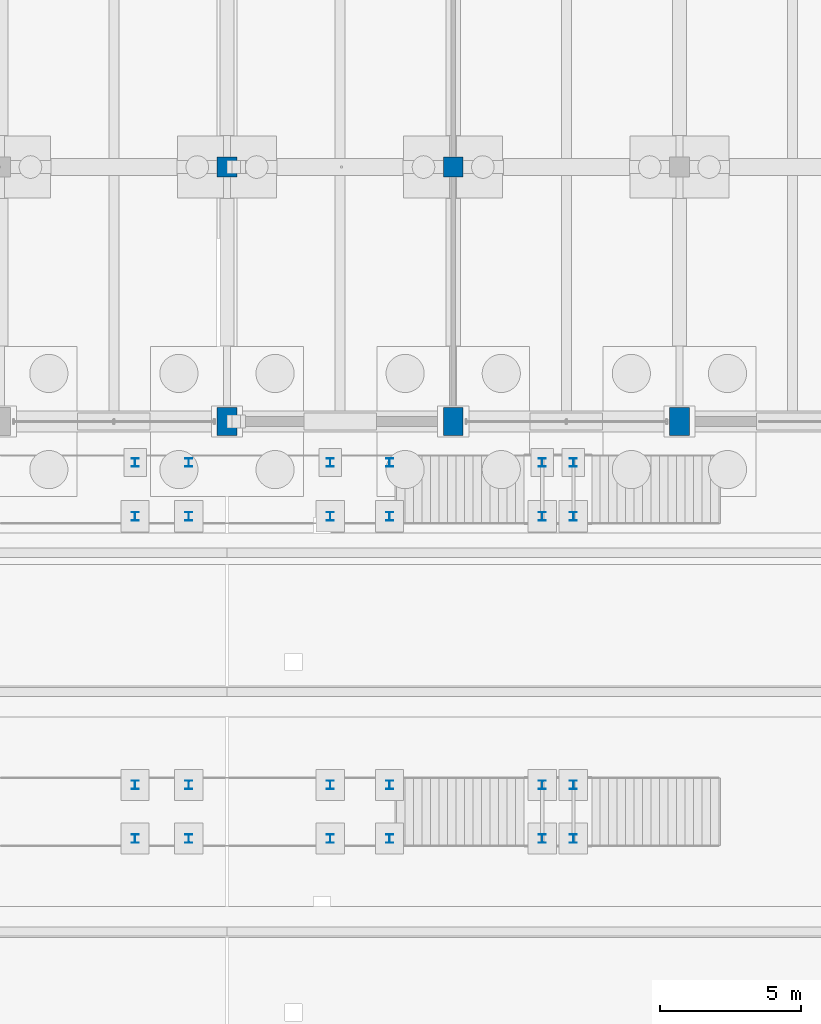
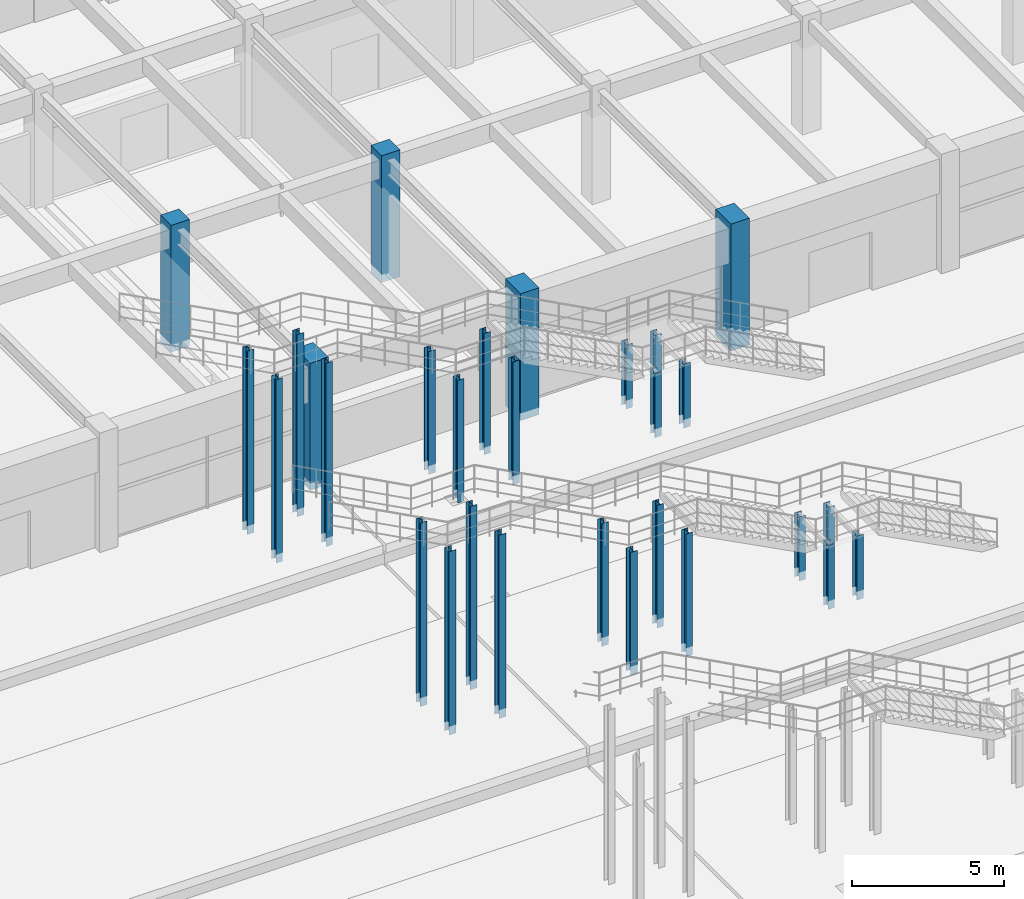
# One storey, part 21 of 147: 29 columns.
"""IFC4 building model written with IfcOpenShell, lengths in metres."""

from ifc_helpers import new_model, si_unit, direction, frame, origin, origin_2d, place, context, subcontext, project, spatial, rectangle, i_section, extrude, material, material_profile, profile_set, type_object, element, save


model = new_model("IFC4")

# Units and contexts
model_context = context("Model", 3, precision=1e-05, world=origin(), true_north=direction((0.0, 1.0)))
body_context = subcontext(model_context, "Body", "Model", "MODEL_VIEW")
ifc_project = project(units=[si_unit("LENGTHUNIT", "METRE"), si_unit("AREAUNIT", "SQUARE_METRE"), si_unit("VOLUMEUNIT", "CUBIC_METRE"), si_unit("PLANEANGLEUNIT", "RADIAN"), si_unit("MASSUNIT", "GRAM", prefix="KILO")], contexts=[model_context])

# Site, building, storey
site_placement = place(None, origin())
site = spatial("IfcSite", under=ifc_project, at=site_placement, CompositionType="ELEMENT")
building_placement = place(site_placement, origin())
building = spatial("IfcBuilding", under=site, at=building_placement, Name="Varnabhumi Central Station", CompositionType="ELEMENT")
storey_placement = place(building_placement, origin())
storey = spatial("IfcBuildingStorey", under=building, at=storey_placement, Name="L00", CompositionType="ELEMENT", Elevation=0.0)

# Columns
ifc_material_1 = material(Name="Structural steel E350", Category="steel")
ifc_material_profile_1 = material_profile(ifc_material_1, i_section(OverallWidth=0.25, OverallDepth=0.300048828125, WebThickness=0.009521484375, FlangeThickness=0.010498046875, FilletRadius=0.010986328125, at=origin_2d()), Name="Structural steel E350", Category="steel")
ifc_profile_set_1 = profile_set([ifc_material_profile_1], Name="Structural steel E350")
column_type_1 = type_object("IfcColumnType", Name="COL-GALLERY-ISHB300", PredefinedType="COLUMN", material=ifc_profile_set_1)
for number, where, z_axis, x_axis, name in (
    (1, (131.14990234375, 65.25, -0.35009765625), (0.0, 0.0, 1.0), (1.0, 0.0, 0.0), "Stair Support Column P3-p3_l0mid-1S"),
    (2, (131.14990234375, 67.14990234375, -0.35009765625), (0.0, 0.0, 1.0), (1.0, 0.0, 0.0), "Stair Support Column P3-p3_l0mid-1N"),
    (3, (132.25, 65.25, -0.35009765625), (0.0, 0.0, 1.0), (1.0, 0.0, 0.0), "Stair Support Column P3-p3_l0mid-2S"),
    (4, (132.25, 67.14990234375, -0.35009765625), (0.0, 0.0, 1.0), (1.0, 0.0, 0.0), "Stair Support Column P3-p3_l0mid-2N"),
):
    element("IfcColumn", number, at=place(storey_placement, frame(where, z_axis=z_axis, x_axis=x_axis)), inside=storey, type_object=column_type_1, Name=name, PredefinedType="COLUMN", context=body_context, shape_type="SweptSolid", body=[
        extrude(i_section(OverallWidth=0.25, OverallDepth=0.300048828125, WebThickness=0.009521484375, FlangeThickness=0.010498046875, FilletRadius=0.010986328125, at=origin_2d()), origin(), (0.0, 0.0, 1.0), 2.570068359375),
    ])
for number, where, z_axis, x_axis, name in (
    (5, (123.64990234375, 65.25, -0.35009765625), (0.0, 0.0, 1.0), (1.0, 0.0, 0.0), "Stair Support Column P3-p3_l1xfer-1S"),
    (6, (123.64990234375, 67.14990234375, -0.35009765625), (0.0, 0.0, 1.0), (1.0, 0.0, 0.0), "Stair Support Column P3-p3_l1xfer-1N"),
    (7, (125.75, 65.25, -0.35009765625), (0.0, 0.0, 1.0), (1.0, 0.0, 0.0), "Stair Support Column P3-p3_l1xfer-2S"),
    (8, (125.75, 67.14990234375, -0.35009765625), (0.0, 0.0, 1.0), (1.0, 0.0, 0.0), "Stair Support Column P3-p3_l1xfer-2N"),
):
    element("IfcColumn", number, at=place(storey_placement, frame(where, z_axis=z_axis, x_axis=x_axis)), inside=storey, type_object=column_type_1, Name=name, PredefinedType="COLUMN", context=body_context, shape_type="SweptSolid", body=[
        extrude(i_section(OverallWidth=0.25, OverallDepth=0.300048828125, WebThickness=0.009521484375, FlangeThickness=0.010498046875, FilletRadius=0.010986328125, at=origin_2d()), origin(), (0.0, 0.0, 1.0), 4.93017578125),
    ])
for number, where, z_axis, x_axis, name in (
    (9, (116.75, 65.25, -0.35009765625), (0.0, 0.0, 1.0), (1.0, 0.0, 0.0), "Stair Support Column P3-p3_l1mid-1S"),
    (10, (116.75, 67.14990234375, -0.35009765625), (0.0, 0.0, 1.0), (1.0, 0.0, 0.0), "Stair Support Column P3-p3_l1mid-1N"),
    (11, (118.64990234375, 65.25, -0.35009765625), (0.0, 0.0, 1.0), (1.0, 0.0, 0.0), "Stair Support Column P3-p3_l1mid-2S"),
    (12, (118.64990234375, 67.14990234375, -0.35009765625), (0.0, 0.0, 1.0), (1.0, 0.0, 0.0), "Stair Support Column P3-p3_l1mid-2N"),
):
    element("IfcColumn", number, at=place(storey_placement, frame(where, z_axis=z_axis, x_axis=x_axis)), inside=storey, type_object=column_type_1, Name=name, PredefinedType="COLUMN", context=body_context, shape_type="SweptSolid", body=[
        extrude(i_section(OverallWidth=0.25, OverallDepth=0.300048828125, WebThickness=0.009521484375, FlangeThickness=0.010498046875, FilletRadius=0.010986328125, at=origin_2d()), origin(), (0.0, 0.0, 1.0), 7.3701171875),
    ])
for number, where, z_axis, x_axis, name in (
    (13, (131.14990234375, 76.64990234375, -0.35009765625), (0.0, 0.0, 1.0), (1.0, 0.0, 0.0), "Stair Support Column P4-p4_l0mid-1S"),
    (14, (131.14990234375, 78.550048828125, -0.35009765625), (0.0, 0.0, 1.0), (1.0, 0.0, 0.0), "Stair Support Column P4-p4_l0mid-1N"),
    (15, (132.25, 76.64990234375, -0.35009765625), (0.0, 0.0, 1.0), (1.0, 0.0, 0.0), "Stair Support Column P4-p4_l0mid-2S"),
    (16, (132.25, 78.550048828125, -0.35009765625), (0.0, 0.0, 1.0), (1.0, 0.0, 0.0), "Stair Support Column P4-p4_l0mid-2N"),
):
    element("IfcColumn", number, at=place(storey_placement, frame(where, z_axis=z_axis, x_axis=x_axis)), inside=storey, type_object=column_type_1, Name=name, PredefinedType="COLUMN", context=body_context, shape_type="SweptSolid", body=[
        extrude(i_section(OverallWidth=0.25, OverallDepth=0.300048828125, WebThickness=0.009521484375, FlangeThickness=0.010498046875, FilletRadius=0.010986328125, at=origin_2d()), origin(), (0.0, 0.0, 1.0), 2.570068359375),
    ])
for number, where, z_axis, x_axis, name in (
    (17, (123.64990234375, 76.64990234375, -0.35009765625), (0.0, 0.0, 1.0), (1.0, 0.0, 0.0), "Stair Support Column P4-p4_l1xfer-1S"),
    (18, (123.64990234375, 78.550048828125, -0.35009765625), (0.0, 0.0, 1.0), (1.0, 0.0, 0.0), "Stair Support Column P4-p4_l1xfer-1N"),
    (19, (125.75, 76.64990234375, -0.35009765625), (0.0, 0.0, 1.0), (1.0, 0.0, 0.0), "Stair Support Column P4-p4_l1xfer-2S"),
):
    element("IfcColumn", number, at=place(storey_placement, frame(where, z_axis=z_axis, x_axis=x_axis)), inside=storey, type_object=column_type_1, Name=name, PredefinedType="COLUMN", context=body_context, shape_type="SweptSolid", body=[
        extrude(i_section(OverallWidth=0.25, OverallDepth=0.300048828125, WebThickness=0.009521484375, FlangeThickness=0.010498046875, FilletRadius=0.010986328125, at=origin_2d()), origin(), (0.0, 0.0, 1.0), 4.93017578125),
    ])
column_1_placement = place(storey_placement, frame((125.75, 78.550048828125, -0.300048828125), z_axis=(0.0, 0.0, 1.0), x_axis=(1.0, 0.0, 0.0)))
element("IfcColumn", 20, at=column_1_placement, inside=storey, type_object=column_type_1, Name="Stair Support Column P4-p4_l1xfer-2N", PredefinedType="COLUMN", context=body_context, shape_type="SweptSolid", body=[
    extrude(i_section(OverallWidth=0.25, OverallDepth=0.300048828125, WebThickness=0.009521484375, FlangeThickness=0.010498046875, FilletRadius=0.010986328125, at=origin_2d()), origin(), (0.0, 0.0, 1.0), 4.880126953125),
])
for number, where, z_axis, x_axis, name in (
    (21, (116.75, 76.64990234375, -0.35009765625), (0.0, 0.0, 1.0), (1.0, 0.0, 0.0), "Stair Support Column P4-p4_l1mid-1S"),
    (22, (116.75, 78.550048828125, -0.35009765625), (0.0, 0.0, 1.0), (1.0, 0.0, 0.0), "Stair Support Column P4-p4_l1mid-1N"),
    (23, (118.64990234375, 76.64990234375, -0.35009765625), (0.0, 0.0, 1.0), (1.0, 0.0, 0.0), "Stair Support Column P4-p4_l1mid-2S"),
):
    element("IfcColumn", number, at=place(storey_placement, frame(where, z_axis=z_axis, x_axis=x_axis)), inside=storey, type_object=column_type_1, Name=name, PredefinedType="COLUMN", context=body_context, shape_type="SweptSolid", body=[
        extrude(i_section(OverallWidth=0.25, OverallDepth=0.300048828125, WebThickness=0.009521484375, FlangeThickness=0.010498046875, FilletRadius=0.010986328125, at=origin_2d()), origin(), (0.0, 0.0, 1.0), 7.3701171875),
    ])
column_2_placement = place(storey_placement, frame((118.64990234375, 78.550048828125, -0.300048828125), z_axis=(0.0, 0.0, 1.0), x_axis=(1.0, 0.0, 0.0)))
element("IfcColumn", 24, at=column_2_placement, inside=storey, type_object=column_type_1, Name="Stair Support Column P4-p4_l1mid-2N", PredefinedType="COLUMN", context=body_context, shape_type="SweptSolid", body=[
    extrude(i_section(OverallWidth=0.25, OverallDepth=0.300048828125, WebThickness=0.009521484375, FlangeThickness=0.010498046875, FilletRadius=0.010986328125, at=origin_2d()), origin(), (0.0, 0.0, 1.0), 7.320068359375),
])
ifc_material_2 = material(Name="Concrete M40", Category="concrete")
ifc_material_profile_2 = material_profile(ifc_material_2, rectangle(XDim=0.699951171875, YDim=0.699951171875, at=origin_2d()), Name="Concrete M40", Category="concrete")
ifc_profile_set_2 = profile_set([ifc_material_profile_2], Name="Concrete M40")
column_type_2 = type_object("IfcColumnType", Name="COL-NORTH-700", PredefinedType="COLUMN", material=ifc_profile_set_2)
for number, where, z_axis, x_axis, name in (
    (25, (120.0, 89.0, -0.300048828125), (0.0, 0.0, 1.0), (1.0, 0.0, 0.0), "Column L00-16L"),
    (26, (128.0, 89.0, -0.300048828125), (0.0, 0.0, 1.0), (1.0, 0.0, 0.0), "Column L00-17L"),
):
    element("IfcColumn", number, at=place(storey_placement, frame(where, z_axis=z_axis, x_axis=x_axis)), inside=storey, type_object=column_type_2, Name=name, PredefinedType="COLUMN", context=body_context, shape_type="SweptSolid", body=[
        extrude(rectangle(XDim=0.699951171875, YDim=0.699951171875, at=origin_2d()), origin(), (0.0, 0.0, 1.0), 5.10009765625),
    ])
ifc_material_3 = material(Name="Concrete M50", Category="concrete")
ifc_material_profile_3 = material_profile(ifc_material_3, rectangle(XDim=0.699951171875, YDim=1.0, at=origin_2d()), Name="Concrete M50", Category="concrete")
ifc_profile_set_3 = profile_set([ifc_material_profile_3], Name="Concrete M50")
column_type_3 = type_object("IfcColumnType", Name="COL-SPINE-M50-1000x700", PredefinedType="COLUMN", material=ifc_profile_set_3)
for number, where, z_axis, x_axis, name in (
    (27, (120.0, 80.0, -0.300048828125), (0.0, 0.0, 1.0), (1.0, 0.0, 0.0), "Column L00-16K"),
    (28, (128.0, 80.0, -0.300048828125), (0.0, 0.0, 1.0), (1.0, 0.0, 0.0), "Column L00-17K"),
    (29, (136.0, 80.0, -0.300048828125), (0.0, 0.0, 1.0), (1.0, 0.0, 0.0), "Column L00-18K"),
):
    element("IfcColumn", number, at=place(storey_placement, frame(where, z_axis=z_axis, x_axis=x_axis)), inside=storey, type_object=column_type_3, Name=name, PredefinedType="COLUMN", context=body_context, shape_type="SweptSolid", body=[
        extrude(rectangle(XDim=0.699951171875, YDim=1.0, at=origin_2d()), origin(), (0.0, 0.0, 1.0), 5.10009765625),
    ])

save(model, "model.ifc")
